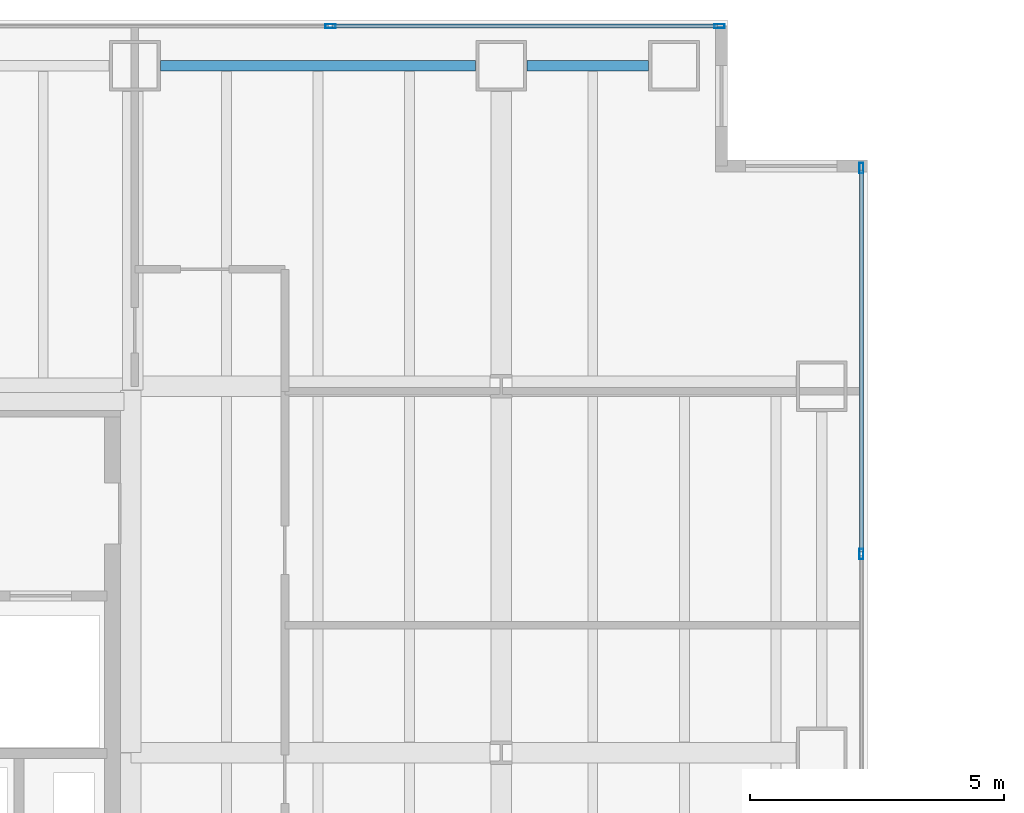
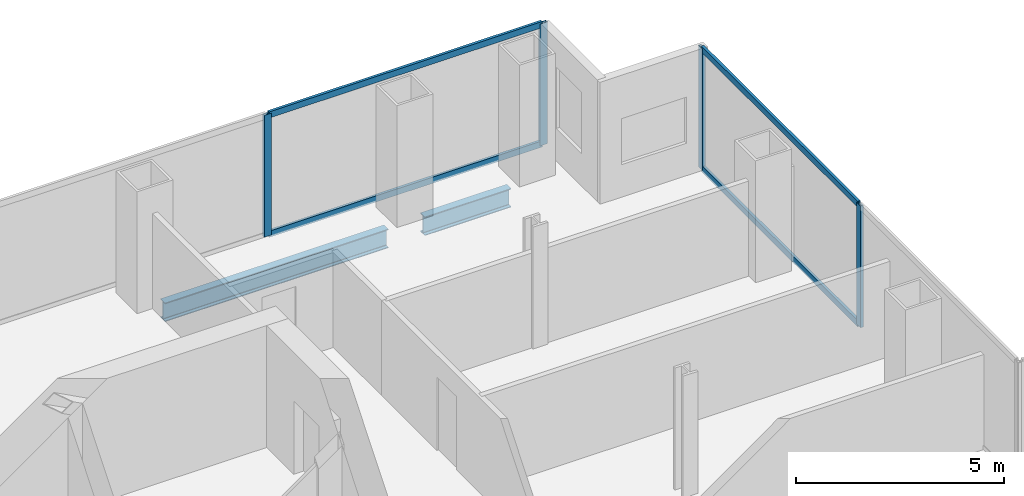
# One storey, part 18 of 23: 8 members, 2 beams, 2 elements without a shape of their own.
"""IFC4 building model written with IfcOpenShell, lengths in metres."""

from ifc_helpers import new_model, si_unit, direction, frame, origin, origin_2d, place, context, subcontext, project, spatial, hollow_rectangle, i_section, extrude, material, material_profile, profile_set, type_object, element, aggregate, save


model = new_model("IFC4")

# Units and contexts
model_context = context("Model", 3, precision=1e-05, world=origin(), true_north=direction((0.0, 1.0)))
body_context = subcontext(model_context, "Body", "Model", "MODEL_VIEW")
ifc_project = project(units=[si_unit("LENGTHUNIT", "METRE"), si_unit("AREAUNIT", "SQUARE_METRE"), si_unit("VOLUMEUNIT", "CUBIC_METRE"), si_unit("PLANEANGLEUNIT", "RADIAN"), si_unit("MASSUNIT", "GRAM", prefix="KILO")], contexts=[model_context])

# Site, building, storey
site_placement = place(None, origin())
site = spatial("IfcSite", under=ifc_project, at=site_placement, CompositionType="ELEMENT")
building_placement = place(site_placement, origin())
building = spatial("IfcBuilding", under=site, at=building_placement, Name="Cobrela Telecom Tower", CompositionType="ELEMENT")
storey_placement = place(building_placement, frame((0.0, 0.0, 73.5)))
storey = spatial("IfcBuildingStorey", under=building, at=storey_placement, Name="L18", CompositionType="ELEMENT", Elevation=73.5)

# Beams
ifc_material_1 = material(Name="Steel ASTM A992 Grade 50", Category="steel")
ifc_material_profile_1 = material_profile(ifc_material_1, i_section(OverallWidth=0.212890625, OverallDepth=0.549072265625, WebThickness=0.0146484375, FlangeThickness=0.023681640625, FilletRadius=0.013916015625, at=origin_2d()), Name="W21X93")
ifc_profile_set_1 = profile_set([ifc_material_profile_1], Name="Steel ASTM A992 Grade 50")
beam_type = type_object("IfcBeamType", Name="BM-SPAND-03", PredefinedType="SPANDREL", material=ifc_profile_set_1)
beam_1_placement = place(storey_placement, frame((14.905029296875, 42.300048828125, -0.554443359375), z_axis=(1.0, 0.0, 0.0), x_axis=(0.0, 1.0, 0.0)))
element("IfcBeam", 1, at=beam_1_placement, inside=storey, type_object=beam_type, Name="L18 Perimeter Spandrel X30", PredefinedType="SPANDREL", context=body_context, shape_type="SweptSolid", body=[
    extrude(i_section(OverallWidth=0.212890625, OverallDepth=0.549072265625, WebThickness=0.0146484375, FlangeThickness=0.023681640625, FilletRadius=0.013916015625, at=origin_2d()), origin(), (0.0, 0.0, 1.0), 6.18994140625),
])
beam_2_placement = place(storey_placement, frame((22.10498046875, 42.300048828125, -0.554443359375), z_axis=(1.0, 0.0, 0.0), x_axis=(0.0, 1.0, 0.0)))
element("IfcBeam", 2, at=beam_2_placement, inside=storey, type_object=beam_type, Name="L18 Perimeter Spandrel X31", PredefinedType="SPANDREL", context=body_context, shape_type="SweptSolid", body=[
    extrude(i_section(OverallWidth=0.212890625, OverallDepth=0.549072265625, WebThickness=0.0146484375, FlangeThickness=0.023681640625, FilletRadius=0.013916015625, at=origin_2d()), origin(), (0.0, 0.0, 1.0), 2.39013671875),
])

# Curtain wall, members
ifc_material_2 = material(Name="Anodized Bronze Aluminium 6063-T6", Category="aluminium")
curtain_wall_type = type_object("IfcCurtainWallType", Name="CW-SYS-DATA", PredefinedType="USERDEFINED", material=ifc_material_2)
curtain_wall_1_placement = place(storey_placement, origin())
curtain_wall_1 = element("IfcCurtainWall", 3, at=curtain_wall_1_placement, inside=storey, type_object=curtain_wall_type, Name="L18 Unitised Bronze Curtain Wall 07", ObjectType="UNITISED CURTAIN WALL", PredefinedType="USERDEFINED")
ifc_material_profile_2 = material_profile(ifc_material_2, hollow_rectangle(XDim=0.080078125, YDim=0.199951171875, WallThickness=0.00390625, at=origin_2d()), Name="ALU 80x200x4")
ifc_profile_set_2 = profile_set([ifc_material_profile_2], Name="Anodized Bronze Aluminium 6063-T6")
member_type_1 = type_object("IfcMemberType", Name="CW-SYS-DATA-MUL", PredefinedType="MULLION", material=ifc_profile_set_2)
member_1_placement = place(storey_placement, frame((18.243408203125, 43.080078125, 0.0), z_axis=(0.0, 0.0, 1.0), x_axis=(0.0, 1.0, 0.0)))
member_1 = element("IfcMember", 4, at=member_1_placement, type_object=member_type_1, Name="CW-DATA mullion 3", PredefinedType="MULLION", context=body_context, shape_type="SweptSolid", body=[
    extrude(hollow_rectangle(XDim=0.080078125, YDim=0.199951171875, WallThickness=0.00390625, at=origin_2d()), origin(), (0.0, 0.0, 1.0), 3.570068359375),
])
member_2_placement = place(storey_placement, frame((25.889892578125, 43.080078125, 0.0), z_axis=(0.0, 0.0, 1.0), x_axis=(0.0, 1.0, 0.0)))
member_2 = element("IfcMember", 5, at=member_2_placement, type_object=member_type_1, Name="CW-DATA mullion 4", PredefinedType="MULLION", context=body_context, shape_type="SweptSolid", body=[
    extrude(hollow_rectangle(XDim=0.080078125, YDim=0.199951171875, WallThickness=0.00390625, at=origin_2d()), origin(), (0.0, 0.0, 1.0), 3.570068359375),
])

curtain_wall_2_placement = place(storey_placement, origin())
curtain_wall_2 = element("IfcCurtainWall", 6, at=curtain_wall_2_placement, inside=storey, type_object=curtain_wall_type, Name="L18 Unitised Bronze Curtain Wall 10", ObjectType="UNITISED CURTAIN WALL", PredefinedType="USERDEFINED")
member_3_placement = place(storey_placement, frame((28.679931640625, 40.2900390625, 0.0), z_axis=(0.0, 0.0, 1.0), x_axis=(1.0, 0.0, 0.0)))
member_3 = element("IfcMember", 7, at=member_3_placement, type_object=member_type_1, Name="CW-DATA mullion 1", PredefinedType="MULLION", context=body_context, shape_type="SweptSolid", body=[
    extrude(hollow_rectangle(XDim=0.080078125, YDim=0.199951171875, WallThickness=0.00390625, at=origin_2d()), origin(), (0.0, 0.0, 1.0), 3.570068359375),
])
member_4_placement = place(storey_placement, frame((28.679931640625, 32.705078125, 0.0), z_axis=(0.0, 0.0, 1.0), x_axis=(1.0, 0.0, 0.0)))
member_4 = element("IfcMember", 8, at=member_4_placement, type_object=member_type_1, Name="CW-DATA mullion 2", PredefinedType="MULLION", context=body_context, shape_type="SweptSolid", body=[
    extrude(hollow_rectangle(XDim=0.080078125, YDim=0.199951171875, WallThickness=0.00390625, at=origin_2d()), origin(), (0.0, 0.0, 1.0), 3.570068359375),
])

# Member
ifc_material_profile_3 = material_profile(ifc_material_2, hollow_rectangle(XDim=0.074951171875, YDim=0.179931640625, WallThickness=0.00390625, at=origin_2d()), Name="ALU 75x180x4")
ifc_profile_set_3 = profile_set([ifc_material_profile_3], Name="Anodized Bronze Aluminium 6063-T6")
member_type_2 = type_object("IfcMemberType", Name="CW-SYS-DATA-TRN", PredefinedType="USERDEFINED", material=ifc_profile_set_3)
member_5_placement = place(storey_placement, frame((18.283447265625, 43.080078125, 0.03759765625), z_axis=(1.0, 0.0, 0.0), x_axis=(0.0, 1.0, 0.0)))
member_5 = element("IfcMember", 9, at=member_5_placement, type_object=member_type_2, Name="CW-DATA transom 3.1", ObjectType="TRANSOM", PredefinedType="USERDEFINED", context=body_context, shape_type="SweptSolid", body=[
    extrude(hollow_rectangle(XDim=0.074951171875, YDim=0.179931640625, WallThickness=0.00390625, at=origin_2d()), origin(), (0.0, 0.0, 1.0), 7.566650390625),
])

member_6_placement = place(storey_placement, frame((18.283447265625, 43.080078125, 3.532470703125), z_axis=(1.0, 0.0, 0.0), x_axis=(0.0, 1.0, 0.0)))
member_6 = element("IfcMember", 10, at=member_6_placement, type_object=member_type_2, Name="CW-DATA transom 3.2", ObjectType="TRANSOM", PredefinedType="USERDEFINED", context=body_context, shape_type="SweptSolid", body=[
    extrude(hollow_rectangle(XDim=0.074951171875, YDim=0.179931640625, WallThickness=0.00390625, at=origin_2d()), origin(), (0.0, 0.0, 1.0), 7.566650390625),
])

aggregate(curtain_wall_1, [member_1, member_2, member_5, member_6])

member_7_placement = place(storey_placement, frame((28.679931640625, 40.25, 0.03759765625), z_axis=(0.0, -1.0, 0.0), x_axis=(1.0, 0.0, 0.0)))
member_7 = element("IfcMember", 11, at=member_7_placement, type_object=member_type_2, Name="CW-DATA transom 1.1", ObjectType="TRANSOM", PredefinedType="USERDEFINED", context=body_context, shape_type="SweptSolid", body=[
    extrude(hollow_rectangle(XDim=0.074951171875, YDim=0.179931640625, WallThickness=0.00390625, at=origin_2d()), origin(), (0.0, 0.0, 1.0), 7.5048828125),
])

member_8_placement = place(storey_placement, frame((28.679931640625, 40.25, 3.532470703125), z_axis=(0.0, -1.0, 0.0), x_axis=(1.0, 0.0, 0.0)))
member_8 = element("IfcMember", 12, at=member_8_placement, type_object=member_type_2, Name="CW-DATA transom 1.2", ObjectType="TRANSOM", PredefinedType="USERDEFINED", context=body_context, shape_type="SweptSolid", body=[
    extrude(hollow_rectangle(XDim=0.074951171875, YDim=0.179931640625, WallThickness=0.00390625, at=origin_2d()), origin(), (0.0, 0.0, 1.0), 7.5048828125),
])

aggregate(curtain_wall_2, [member_3, member_4, member_7, member_8])

save(model, "model.ifc")
